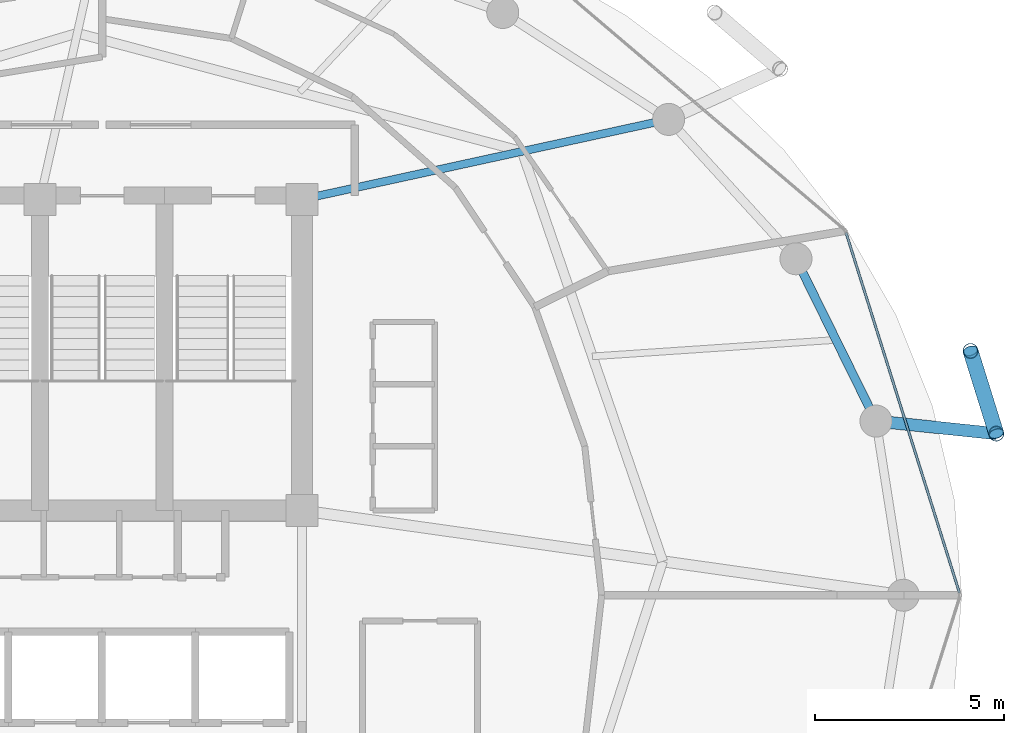
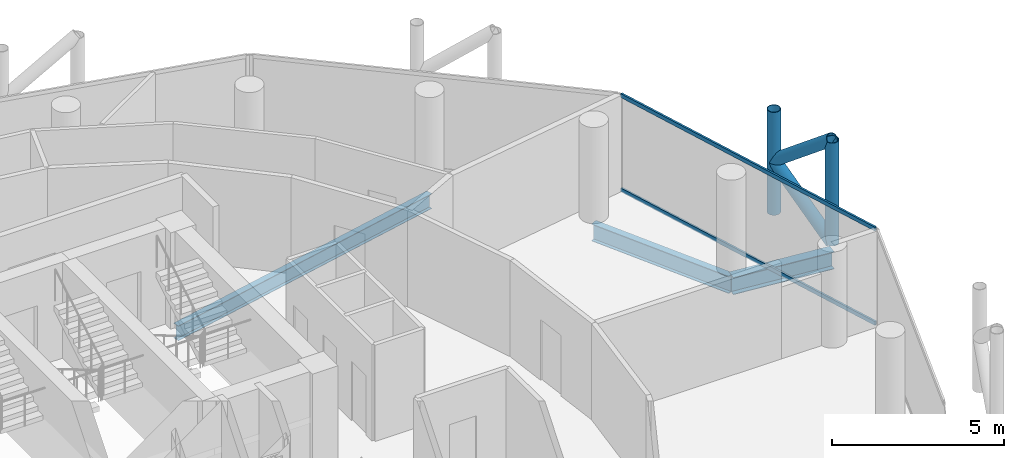
# One storey, part 16 of 27: 6 members, 3 beams, 1 element without a shape of its own.
"""IFC4 building model written with IfcOpenShell, lengths in metres."""

from ifc_helpers import new_model, si_unit, direction, frame, origin, origin_2d, place, context, subcontext, project, spatial, hollow_rectangle, hollow_circle, i_section, extrude, material, layer, layer_set, material_profile, profile_set, type_object, element, aggregate, save


model = new_model("IFC4")

# Units and contexts
model_context = context("Model", 3, precision=1e-05, world=origin(), true_north=direction((0.0, 1.0)))
body_context = subcontext(model_context, "Body", "Model", "MODEL_VIEW")
ifc_project = project(units=[si_unit("LENGTHUNIT", "METRE"), si_unit("AREAUNIT", "SQUARE_METRE"), si_unit("VOLUMEUNIT", "CUBIC_METRE"), si_unit("PLANEANGLEUNIT", "RADIAN"), si_unit("MASSUNIT", "GRAM", prefix="KILO")], contexts=[model_context])

# Site, building, storey
site_placement = place(None, origin())
site = spatial("IfcSite", under=ifc_project, at=site_placement, CompositionType="ELEMENT")
building_placement = place(site_placement, origin())
building = spatial("IfcBuilding", under=site, at=building_placement, Name="Nuhasar Tower", CompositionType="ELEMENT")
storey_placement = place(building_placement, frame((0.0, 0.0, 237.35009765625)))
storey = spatial("IfcBuildingStorey", under=building, at=storey_placement, Name="L58", CompositionType="ELEMENT", Elevation=237.35009765625)

# Beams
ifc_material_1 = material(Name="Steel S355", Category="steel")
ifc_material_profile_1 = material_profile(ifc_material_1, i_section(OverallWidth=0.208984375, OverallDepth=0.528076171875, WebThickness=0.009521484375, FlangeThickness=0.01318359375, at=origin_2d()), Name="W21X55")
ifc_profile_set_1 = profile_set([ifc_material_profile_1], Name="Steel S355")
beam_type_1 = type_object("IfcBeamType", Name="BM-RAD-W21X55", PredefinedType="BEAM", material=ifc_profile_set_1)
beam_1_placement = place(storey_placement, frame((44.300048828125, 37.300048828125, -0.504150390625), z_axis=(0.977014275474, 0.213173885644, 0.0), x_axis=(-0.213173885644, 0.977014275474, 0.0)))
element("IfcBeam", 1, at=beam_1_placement, inside=storey, type_object=beam_type_1, Name="L58 Radial Floor Girder 05", PredefinedType="BEAM", context=body_context, shape_type="SweptSolid", body=[
    extrude(i_section(OverallWidth=0.208984375, OverallDepth=0.528076171875, WebThickness=0.009521484375, FlangeThickness=0.01318359375, at=origin_2d()), origin(), (0.0, 0.0, 1.0), 9.95458984375),
])
ifc_material_profile_2 = material_profile(ifc_material_1, i_section(OverallWidth=0.22802734375, OverallDepth=0.60791015625, WebThickness=0.01123046875, FlangeThickness=0.017333984375, at=origin_2d()), Name="W24X76")
ifc_profile_set_2 = profile_set([ifc_material_profile_2], Name="Steel S355")
beam_type_2 = type_object("IfcBeamType", Name="BM-RING-W24X76", PredefinedType="SPANDREL", material=ifc_profile_set_2)
beam_2_placement = place(storey_placement, frame((59.52587890625, 31.419921875, -0.544189453125), z_axis=(-0.442242604409, 0.896895467067, 0.0), x_axis=(-0.896895467067, -0.442242604409, 0.0)))
element("IfcBeam", 2, at=beam_2_placement, inside=storey, type_object=beam_type_2, Name="L58 Perimeter Ring Spandrel 02", PredefinedType="SPANDREL", context=body_context, shape_type="SweptSolid", body=[
    extrude(i_section(OverallWidth=0.22802734375, OverallDepth=0.60791015625, WebThickness=0.01123046875, FlangeThickness=0.017333984375, at=origin_2d()), origin(), (0.0, 0.0, 1.0), 4.800048828125),
])
ifc_material_profile_3 = material_profile(ifc_material_1, i_section(OverallWidth=0.323974609375, OverallDepth=0.611083984375, WebThickness=0.0126953125, FlangeThickness=0.01904296875, at=origin_2d()), Name="W24X104")
ifc_profile_set_3 = profile_set([ifc_material_profile_3], Name="Steel S355")
beam_type_3 = type_object("IfcBeamType", Name="BM-TIE-W24X104", PredefinedType="BEAM", material=ifc_profile_set_3)
beam_3_placement = place(storey_placement, frame((59.52587890625, 31.419921875, -0.545166015625), z_axis=(0.994571111079, -0.10405914187, 0.0), x_axis=(0.10405914187, 0.994571111079, 0.0)))
element("IfcBeam", 3, at=beam_3_placement, inside=storey, type_object=beam_type_3, Name="L58 Exoskeleton Node Tie Beam 01", PredefinedType="BEAM", context=body_context, shape_type="SweptSolid", body=[
    extrude(i_section(OverallWidth=0.323974609375, OverallDepth=0.611083984375, WebThickness=0.0126953125, FlangeThickness=0.01904296875, at=origin_2d()), origin(), (0.0, 0.0, 1.0), 3.20947265625),
])

# Curtain wall, members
ifc_material_2 = material(Name="Aluminium 6063-T6", Category="aluminium")
ifc_layer = layer(ifc_material_2, 0.18994140625)
ifc_layer_set = layer_set([ifc_layer], Name="Aluminium 6063-T6")
curtain_wall_type = type_object("IfcCurtainWallType", Name="CW-Z3-RES", PredefinedType="NOTDEFINED", material=ifc_layer_set)
curtain_wall_placement = place(storey_placement, origin())
curtain_wall = element("IfcCurtainWall", 4, at=curtain_wall_placement, inside=storey, type_object=curtain_wall_type, Name="L58 Unitised Curtain Wall 01", PredefinedType="NOTDEFINED")
ifc_material_profile_4 = material_profile(ifc_material_2, hollow_rectangle(XDim=0.06494140625, YDim=0.139892578125, WallThickness=0.00439453125, at=origin_2d()), Name="CWT-4")
ifc_profile_set_4 = profile_set([ifc_material_profile_4], Name="Aluminium 6063-T6")
member_type_1 = type_object("IfcMemberType", Name="CW-TRN-S4", PredefinedType="USERDEFINED", material=ifc_profile_set_4)
member_1_placement = place(storey_placement, frame((61.740478515625, 26.862060546875, 0.032470703125), z_axis=(-0.300437373386, 0.953801543652, 0.0), x_axis=(-0.953801543652, -0.300437373386, 0.0)))
member_1 = element("IfcMember", 5, at=member_1_placement, type_object=member_type_1, Name="CW-Z3 transom 1.1", ObjectType="TRANSOM", PredefinedType="USERDEFINED", context=body_context, shape_type="SweptSolid", body=[
    extrude(hollow_rectangle(XDim=0.06494140625, YDim=0.139892578125, WallThickness=0.00439453125, at=origin_2d()), origin(), (0.0, 0.0, 1.0), 10.018798828125),
])
member_2_placement = place(storey_placement, frame((61.740478515625, 26.862060546875, 3.37744140625), z_axis=(-0.300437373386, 0.953801543652, 0.0), x_axis=(-0.953801543652, -0.300437373386, 0.0)))
member_2 = element("IfcMember", 6, at=member_2_placement, type_object=member_type_1, Name="CW-Z3 transom 1.2", ObjectType="TRANSOM", PredefinedType="USERDEFINED", context=body_context, shape_type="SweptSolid", body=[
    extrude(hollow_rectangle(XDim=0.06494140625, YDim=0.139892578125, WallThickness=0.00439453125, at=origin_2d()), origin(), (0.0, 0.0, 1.0), 10.018798828125),
])
aggregate(curtain_wall, [member_1, member_2])

# Members
ifc_material_3 = material(Name="Steel S460", Category="steel")
ifc_material_profile_5 = material_profile(ifc_material_3, hollow_circle(Radius=0.203125, WallThickness=0.01904296875, at=origin_2d()), Name="HSS406.4X19.1")
ifc_profile_set_5 = profile_set([ifc_material_profile_5], Name="Steel S460")
member_type_2 = type_object("IfcMemberType", Name="EXO-BRONZE-406", PredefinedType="BRACE", material=ifc_profile_set_5)
for number, where, z_axis, x_axis, name in (
    (7, (62.718017578125, 31.0859375, 0.0), (0.0, 0.0, 1.0), (1.0, 0.0, 0.0), "L58 Exoskeleton Chord Column EC-01A"),
    (8, (62.032958984375, 33.281005859375, 0.0), (0.0, 0.0, 1.0), (1.0, 0.0, 0.0), "L58 Exoskeleton Chord Column EC-01B"),
):
    element("IfcMember", number, at=place(storey_placement, frame(where, z_axis=z_axis, x_axis=x_axis)), inside=storey, type_object=member_type_2, Name=name, PredefinedType="BRACE", context=body_context, shape_type="SweptSolid", body=[
        extrude(hollow_circle(Radius=0.203125, WallThickness=0.01904296875, at=origin_2d()), origin(), (0.0, 0.0, 1.0), 3.64990234375),
    ])
for number, where, z_axis, x_axis, name in (
    (9, (62.718017578125, 31.0859375, 0.0), (-0.233357911711, 0.747726651531, 0.621650174641), (-0.954591372974, -0.297918295247, 0.0), "L58 Bronze Diagrid Brace W1-01"),
    (10, (62.032958984375, 33.281005859375, 1.824951171875), (0.233357911711, -0.747726651531, 0.621650174641), (0.954591372974, 0.297918295247, 0.0), "L58 Bronze Diagrid Brace W2-01"),
):
    element("IfcMember", number, at=place(storey_placement, frame(where, z_axis=z_axis, x_axis=x_axis)), inside=storey, type_object=member_type_2, Name=name, PredefinedType="BRACE", context=body_context, shape_type="SweptSolid", body=[
        extrude(hollow_circle(Radius=0.203125, WallThickness=0.01904296875, at=origin_2d()), origin(), (0.0, 0.0, 1.0), 2.935546875),
    ])

save(model, "model.ifc")
